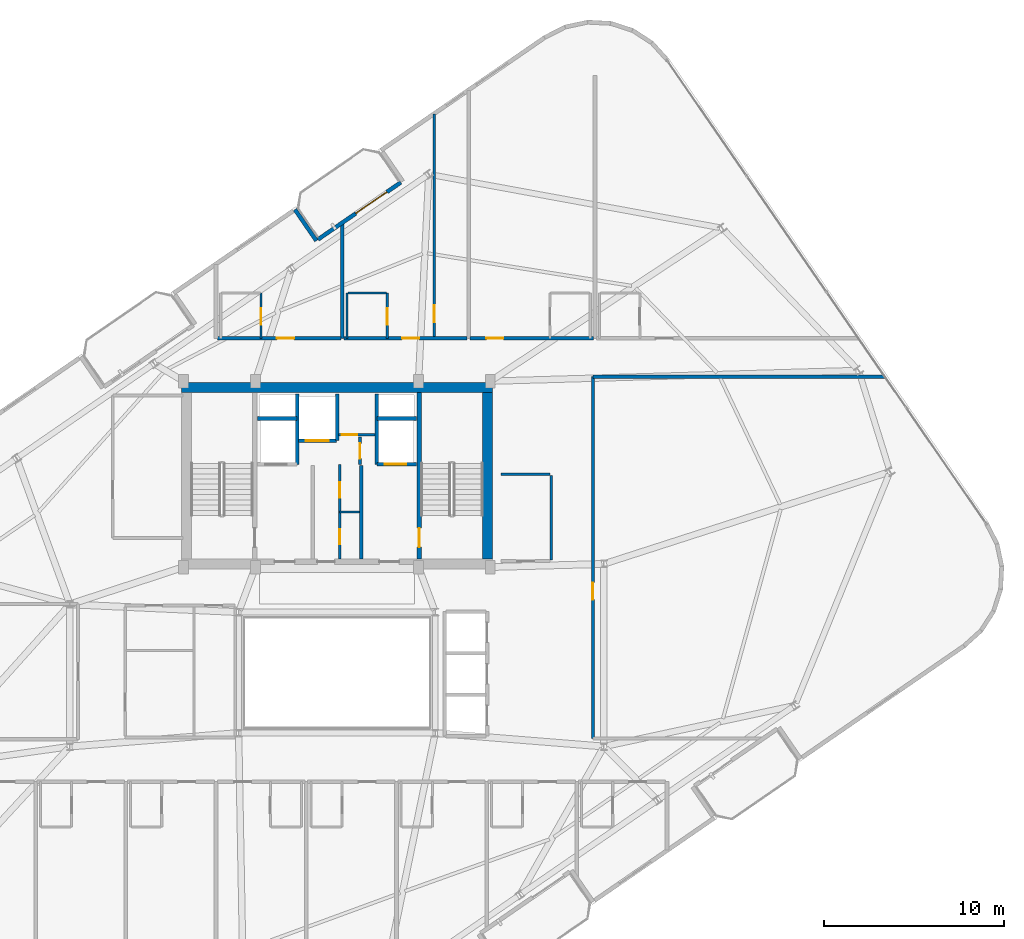
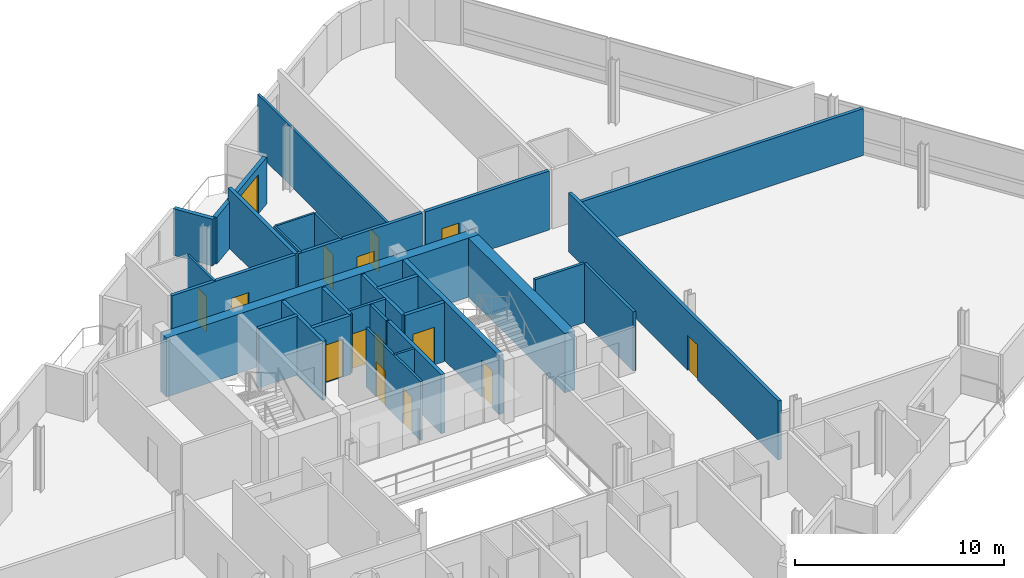
# One storey, part 17 of 22: 30 walls, 15 doors, 15 openings.
"""IFC4 building model written with IfcOpenShell, lengths in metres."""

from ifc_helpers import new_model, si_unit, direction, frame, frame_2d, origin, place, context, subcontext, project, spatial, rectangle, extrude, material, layer, layer_set, type_object, element, fill, save


model = new_model("IFC4")

# Units and contexts
model_context = context("Model", 3, precision=1e-05, world=origin(), true_north=direction((0.0, 1.0)))
body_context = subcontext(model_context, "Body", "Model", "MODEL_VIEW")
ifc_project = project(units=[si_unit("LENGTHUNIT", "METRE"), si_unit("AREAUNIT", "SQUARE_METRE"), si_unit("VOLUMEUNIT", "CUBIC_METRE"), si_unit("PLANEANGLEUNIT", "RADIAN"), si_unit("MASSUNIT", "GRAM", prefix="KILO")], contexts=[model_context])

# Site, building, storey
site_placement = place(None, origin())
site = spatial("IfcSite", under=ifc_project, at=site_placement, CompositionType="ELEMENT")
building_placement = place(site_placement, origin())
building = spatial("IfcBuilding", under=site, at=building_placement, Name="Varnelok Gate Tower", CompositionType="ELEMENT")
storey_placement = place(building_placement, frame((0.0, 0.0, 280.39990234375)))
storey = spatial("IfcBuildingStorey", under=building, at=storey_placement, Name="L72", CompositionType="ELEMENT", Elevation=280.39990234375)

# Wall, opening, door
ifc_material_1 = material(Name="Concrete C45/55", Category="concrete")
ifc_layer_1 = layer(ifc_material_1, 0.219970703125)
ifc_layer_set_1 = layer_set([ifc_layer_1], Name="Concrete C45/55")
wall_type_1 = type_object("IfcWallType", Name="EW-BALC-220", PredefinedType="SOLIDWALL", material=ifc_layer_set_1)
wall_1_placement = place(storey_placement, frame((38.15625, 46.91162109375, 0.0), z_axis=(0.0, 0.0, 1.0), x_axis=(0.823527178548, 0.567276816195, 0.0)))
wall_1 = element("IfcWall", 1, at=wall_1_placement, inside=storey, type_object=wall_type_1, Name="L72 North Terrace Envelope Wall 6", PredefinedType="SOLIDWALL", context=body_context, shape_type="SweptSolid", body=[
    extrude(rectangle(XDim=5.56689453125, YDim=0.219970703125, at=frame_2d((2.783447265625, 0.0))), origin(), (0.0, 0.0, 1.0), 2.72998046875),
])
opening_1_placement = place(wall_1_placement, frame((2.53369140625, 0.0, 0.0)))
opening_1 = element("IfcOpeningElement", 2, at=opening_1_placement, cuts=wall_1, Name="Opening BD-2", PredefinedType="OPENING", context=body_context, shape_type="SweptSolid", body=[
    extrude(rectangle(XDim=2.10009765625, YDim=2.300048828125, at=frame_2d((1.050048828125, 1.14990234375))), frame((0.0, 0.119873046875, 0.0), z_axis=(0.0, -1.0, 0.0), x_axis=(1.0, 0.0, 0.0)), (0.0, 0.0, 1.0), 0.239990234375),
])
ifc_material_2 = material(Name="Anodized Aluminum Alloy 6063-T6", Category="aluminium")
door_type_1 = type_object("IfcDoorType", Name="DR-EXT-SLID2100", OperationType="SLIDING_TO_LEFT", PredefinedType="DOOR", material=ifc_material_2)
door_1_placement = place(opening_1_placement, origin())
door_1 = element("IfcDoor", 3, at=door_1_placement, inside=storey, type_object=door_type_1, Name="L72 North Balcony Glazed Door 6", OperationType="SLIDING_TO_LEFT", OverallHeight=2.300048828125, OverallWidth=2.10009765625, PredefinedType="DOOR", context=body_context, shape_type="SweptSolid", body=[
    extrude(rectangle(XDim=2.10009765625, YDim=2.300048828125, at=frame_2d((1.050048828125, 1.14990234375))), frame((0.0, 0.02490234375, 0.0), z_axis=(0.0, -1.0, 0.0), x_axis=(1.0, 0.0, 0.0)), (0.0, 0.0, 1.0), 0.050048828125),
])
fill(opening_1, door_1)

# Wall
wall_2_placement = place(storey_placement, frame((38.06298828125, 46.835205078125, 0.0), z_axis=(0.0, 0.0, 1.0), x_axis=(-0.567219383419, 0.823566737474, 0.0)))
element("IfcWall", 4, at=wall_2_placement, inside=storey, type_object=wall_type_1, Name="L72 Perimeter Facade Closure Wall 31", PredefinedType="SOLIDWALL", context=body_context, shape_type="SweptSolid", body=[
    extrude(rectangle(XDim=2.10009765625, YDim=0.219970703125, at=frame_2d((1.050048828125, 0.0))), origin(), (0.0, 0.0, 1.0), 2.72998046875),
])

# Wall, opening, door
ifc_material_3 = material(Name="Gypsum Plasterboard Acoustic Partition", Category="gypsum")
ifc_layer_2 = layer(ifc_material_3, 0.179931640625)
ifc_layer_set_2 = layer_set([ifc_layer_2], Name="Gypsum Plasterboard Acoustic Partition")
wall_type_2 = type_object("IfcWallType", Name="PW-CORR-180", PredefinedType="PARTITIONING", material=ifc_layer_set_2)
wall_3_placement = place(storey_placement, frame((32.580078125, 41.429931640625, 0.0), z_axis=(0.0, 0.0, 1.0), x_axis=(1.0, 0.0, 0.0)))
wall_3 = element("IfcWall", 5, at=wall_3_placement, inside=storey, type_object=wall_type_2, Name="Interior Partition", PredefinedType="PARTITIONING", context=body_context, shape_type="SweptSolid", body=[
    extrude(rectangle(XDim=6.83984375, YDim=0.179931640625, at=frame_2d((3.419921875, 0.0))), origin(), (0.0, 0.0, 1.0), 3.4501953125),
])
opening_2_placement = place(wall_3_placement, frame((3.2900390625, 0.0, 0.0)))
opening_2 = element("IfcOpeningElement", 6, at=opening_2_placement, cuts=wall_3, Name="Opening D-HT", PredefinedType="OPENING", context=body_context, shape_type="SweptSolid", body=[
    extrude(rectangle(XDim=0.949951171875, YDim=2.14990234375, at=frame_2d((0.47509765625, 1.074951171875))), frame((0.0, 0.099853515625, 0.0), z_axis=(0.0, -1.0, 0.0), x_axis=(1.0, 0.0, 0.0)), (0.0, 0.0, 1.0), 0.199951171875),
])
ifc_material_4 = material(Name="Engineered Hardwood Timber", Category="wood")
door_type_2 = type_object("IfcDoorType", Name="DR-HTL-950", OperationType="NOTDEFINED", PredefinedType="DOOR", material=ifc_material_4)
door_2_placement = place(opening_2_placement, origin())
door_2 = element("IfcDoor", 7, at=door_2_placement, inside=storey, type_object=door_type_2, Name="L72 Guest Room 13 Entrance Door", OperationType="SINGLE_SWING_RIGHT", OverallHeight=2.14990234375, OverallWidth=0.949951171875, PredefinedType="DOOR", context=body_context, shape_type="SweptSolid", body=[
    extrude(rectangle(XDim=0.949951171875, YDim=2.14990234375, at=frame_2d((0.47509765625, 1.074951171875))), frame((0.0, 0.02490234375, 0.0), z_axis=(0.0, -1.0, 0.0), x_axis=(1.0, 0.0, 0.0)), (0.0, 0.0, 1.0), 0.050048828125),
])
fill(opening_2, door_2)

wall_4_placement = place(storey_placement, frame((39.580078125, 41.429931640625, 0.0), z_axis=(0.0, 0.0, 1.0), x_axis=(1.0, 0.0, 0.0)))
wall_4 = element("IfcWall", 8, at=wall_4_placement, inside=storey, type_object=wall_type_2, Name="Interior Partition", PredefinedType="PARTITIONING", context=body_context, shape_type="SweptSolid", body=[
    extrude(rectangle(XDim=6.83984375, YDim=0.179931640625, at=frame_2d((3.419921875, 0.0))), origin(), (0.0, 0.0, 1.0), 3.4501953125),
])
opening_3_placement = place(wall_4_placement, frame((3.22998046875, 0.0, 0.0)))
opening_3 = element("IfcOpeningElement", 9, at=opening_3_placement, cuts=wall_4, Name="Opening D-HT", PredefinedType="OPENING", context=body_context, shape_type="SweptSolid", body=[
    extrude(rectangle(XDim=0.949951171875, YDim=2.14990234375, at=frame_2d((0.47509765625, 1.074951171875))), frame((0.0, 0.099853515625, 0.0), z_axis=(0.0, -1.0, 0.0), x_axis=(1.0, 0.0, 0.0)), (0.0, 0.0, 1.0), 0.199951171875),
])
door_3_placement = place(opening_3_placement, origin())
door_3 = element("IfcDoor", 10, at=door_3_placement, inside=storey, type_object=door_type_2, Name="L72 Guest Room 14 Entrance Door", OperationType="SINGLE_SWING_LEFT", OverallHeight=2.14990234375, OverallWidth=0.949951171875, PredefinedType="DOOR", context=body_context, shape_type="SweptSolid", body=[
    extrude(rectangle(XDim=0.949951171875, YDim=2.14990234375, at=frame_2d((0.47509765625, 1.074951171875))), frame((0.0, 0.02490234375, 0.0), z_axis=(0.0, -1.0, 0.0), x_axis=(1.0, 0.0, 0.0)), (0.0, 0.0, 1.0), 0.050048828125),
])
fill(opening_3, door_3)

wall_5_placement = place(storey_placement, frame((46.580078125, 41.429931640625, 0.0), z_axis=(0.0, 0.0, 1.0), x_axis=(1.0, 0.0, 0.0)))
wall_5 = element("IfcWall", 11, at=wall_5_placement, inside=storey, type_object=wall_type_2, Name="Interior Partition", PredefinedType="PARTITIONING", context=body_context, shape_type="SweptSolid", body=[
    extrude(rectangle(XDim=6.83984375, YDim=0.179931640625, at=frame_2d((3.419921875, 0.0))), origin(), (0.0, 0.0, 1.0), 3.4501953125),
])
opening_4_placement = place(wall_5_placement, frame((0.89990234375, 0.0, 0.0)))
opening_4 = element("IfcOpeningElement", 12, at=opening_4_placement, cuts=wall_5, Name="Opening D-HT", PredefinedType="OPENING", context=body_context, shape_type="SweptSolid", body=[
    extrude(rectangle(XDim=0.949951171875, YDim=2.14990234375, at=frame_2d((0.47509765625, 1.074951171875))), frame((0.0, 0.099853515625, 0.0), z_axis=(0.0, -1.0, 0.0), x_axis=(1.0, 0.0, 0.0)), (0.0, 0.0, 1.0), 0.199951171875),
])
door_4_placement = place(opening_4_placement, origin())
door_4 = element("IfcDoor", 13, at=door_4_placement, inside=storey, type_object=door_type_2, Name="L72 Guest Room 15 Entrance Door", OperationType="SINGLE_SWING_RIGHT", OverallHeight=2.14990234375, OverallWidth=0.949951171875, PredefinedType="DOOR", context=body_context, shape_type="SweptSolid", body=[
    extrude(rectangle(XDim=0.949951171875, YDim=2.14990234375, at=frame_2d((0.47509765625, 1.074951171875))), frame((0.0, 0.02490234375, 0.0), z_axis=(0.0, -1.0, 0.0), x_axis=(1.0, 0.0, 0.0)), (0.0, 0.0, 1.0), 0.050048828125),
])
fill(opening_4, door_4)

wall_6_placement = place(storey_placement, frame((53.389892578125, 19.239990234375, 0.0), z_axis=(0.0, 0.0, 1.0), x_axis=(0.0, 1.0, 0.0)))
wall_6 = element("IfcWall", 14, at=wall_6_placement, inside=storey, type_object=wall_type_2, Name="Interior Partition", PredefinedType="PARTITIONING", context=body_context, shape_type="SweptSolid", body=[
    extrude(rectangle(XDim=20.06005859375, YDim=0.179931640625, at=frame_2d((10.030029296875, 0.0))), origin(), (0.0, 0.0, 1.0), 3.4501953125),
])
opening_5_placement = place(wall_6_placement, frame((7.699951171875, 0.0, 0.0)))
opening_5 = element("IfcOpeningElement", 15, at=opening_5_placement, cuts=wall_6, Name="Opening D-I2", PredefinedType="OPENING", context=body_context, shape_type="SweptSolid", body=[
    extrude(rectangle(XDim=0.949951171875, YDim=2.050048828125, at=frame_2d((0.47509765625, 1.02490234375))), frame((0.0, 0.099853515625, 0.0), z_axis=(0.0, -1.0, 0.0), x_axis=(1.0, 0.0, 0.0)), (0.0, 0.0, 1.0), 0.199951171875),
])
door_type_3 = type_object("IfcDoorType", Name="DR-INT-950", OperationType="NOTDEFINED", PredefinedType="DOOR", material=ifc_material_4)
door_5_placement = place(opening_5_placement, origin())
door_5 = element("IfcDoor", 16, at=door_5_placement, inside=storey, type_object=door_type_3, Name="L72 East Club Door", OperationType="SINGLE_SWING_RIGHT", OverallHeight=2.050048828125, OverallWidth=0.949951171875, PredefinedType="DOOR", context=body_context, shape_type="SweptSolid", body=[
    extrude(rectangle(XDim=0.949951171875, YDim=2.050048828125, at=frame_2d((0.47509765625, 1.02490234375))), frame((0.0, 0.02490234375, 0.0), z_axis=(0.0, -1.0, 0.0), x_axis=(1.0, 0.0, 0.0)), (0.0, 0.0, 1.0), 0.050048828125),
])
fill(opening_5, door_5)

# Wall
wall_7_placement = place(storey_placement, frame((53.389892578125, 39.300048828125, 0.0), z_axis=(0.0, 0.0, 1.0), x_axis=(1.0, 0.0, 0.0)))
element("IfcWall", 17, at=wall_7_placement, inside=storey, type_object=wall_type_2, Name="Interior Partition", PredefinedType="PARTITIONING", context=body_context, shape_type="SweptSolid", body=[
    extrude(rectangle(XDim=16.149169921875, YDim=0.179931640625, at=frame_2d((8.07470703125, 0.0))), origin(), (0.0, 0.0, 1.0), 2.739013671875),
])

# Wall, opening, door
ifc_layer_3 = layer(ifc_material_3, 0.114990234375)
ifc_layer_set_3 = layer_set([ifc_layer_3], Name="Gypsum Plasterboard Acoustic Partition")
wall_type_3 = type_object("IfcWallType", Name="PW-ENS-125", PredefinedType="PARTITIONING", material=ifc_layer_set_3)
wall_8_placement = place(storey_placement, frame((34.989990234375, 41.429931640625, 0.0), z_axis=(0.0, 0.0, 1.0), x_axis=(0.0, 1.0, 0.0)))
wall_8 = element("IfcWall", 18, at=wall_8_placement, inside=storey, type_object=wall_type_3, Name="Interior Partition", PredefinedType="PARTITIONING", context=body_context, shape_type="SweptSolid", body=[
    extrude(rectangle(XDim=2.52001953125, YDim=0.114990234375, at=frame_2d((1.260009765625, 0.0))), origin(), (0.0, 0.0, 1.0), 3.4501953125),
])
opening_6_placement = place(wall_8_placement, frame((0.760009765625, 0.0, 0.0)))
opening_6 = element("IfcOpeningElement", 19, at=opening_6_placement, cuts=wall_8, Name="Opening D-WC", PredefinedType="OPENING", context=body_context, shape_type="SweptSolid", body=[
    extrude(rectangle(XDim=0.89990234375, YDim=2.050048828125, at=frame_2d((0.449951171875, 1.02490234375))), frame((0.0, 0.0673828125, 0.0), z_axis=(0.0, -1.0, 0.0), x_axis=(1.0, 0.0, 0.0)), (0.0, 0.0, 1.0), 0.135009765625),
])
door_type_4 = type_object("IfcDoorType", Name="DR-BATH-900", OperationType="NOTDEFINED", PredefinedType="DOOR", material=ifc_material_4)
door_6_placement = place(opening_6_placement, origin())
door_6 = element("IfcDoor", 20, at=door_6_placement, inside=storey, type_object=door_type_4, Name="L72 North En-Suite 13 Door", OperationType="SINGLE_SWING_RIGHT", OverallHeight=2.050048828125, OverallWidth=0.89990234375, PredefinedType="DOOR", context=body_context, shape_type="SweptSolid", body=[
    extrude(rectangle(XDim=0.89990234375, YDim=2.050048828125, at=frame_2d((0.449951171875, 1.02490234375))), frame((0.0, 0.02490234375, 0.0), z_axis=(0.0, -1.0, 0.0), x_axis=(1.0, 0.0, 0.0)), (0.0, 0.0, 1.0), 0.050048828125),
])
fill(opening_6, door_6)

# Wall
wall_9_placement = place(storey_placement, frame((39.800048828125, 43.949951171875, 0.0), z_axis=(0.0, 0.0, 1.0), x_axis=(1.0, 0.0, 0.0)))
element("IfcWall", 21, at=wall_9_placement, inside=storey, type_object=wall_type_3, Name="Interior Partition", PredefinedType="PARTITIONING", context=body_context, shape_type="SweptSolid", body=[
    extrude(rectangle(XDim=2.14990234375, YDim=0.114990234375, at=frame_2d((1.074951171875, 0.0))), origin(), (0.0, 0.0, 1.0), 3.4501953125),
])

# Wall, opening, door
wall_10_placement = place(storey_placement, frame((41.989990234375, 41.429931640625, 0.0), z_axis=(0.0, 0.0, 1.0), x_axis=(0.0, 1.0, 0.0)))
wall_10 = element("IfcWall", 22, at=wall_10_placement, inside=storey, type_object=wall_type_3, Name="Interior Partition", PredefinedType="PARTITIONING", context=body_context, shape_type="SweptSolid", body=[
    extrude(rectangle(XDim=2.52001953125, YDim=0.114990234375, at=frame_2d((1.260009765625, 0.0))), origin(), (0.0, 0.0, 1.0), 3.4501953125),
])
opening_7_placement = place(wall_10_placement, frame((0.760009765625, 0.0, 0.0)))
opening_7 = element("IfcOpeningElement", 23, at=opening_7_placement, cuts=wall_10, Name="Opening D-WC", PredefinedType="OPENING", context=body_context, shape_type="SweptSolid", body=[
    extrude(rectangle(XDim=0.89990234375, YDim=2.050048828125, at=frame_2d((0.449951171875, 1.02490234375))), frame((0.0, 0.0673828125, 0.0), z_axis=(0.0, -1.0, 0.0), x_axis=(1.0, 0.0, 0.0)), (0.0, 0.0, 1.0), 0.135009765625),
])
door_7_placement = place(opening_7_placement, origin())
door_7 = element("IfcDoor", 24, at=door_7_placement, inside=storey, type_object=door_type_4, Name="L72 North En-Suite 14 Door", OperationType="SINGLE_SWING_RIGHT", OverallHeight=2.050048828125, OverallWidth=0.89990234375, PredefinedType="DOOR", context=body_context, shape_type="SweptSolid", body=[
    extrude(rectangle(XDim=0.89990234375, YDim=2.050048828125, at=frame_2d((0.449951171875, 1.02490234375))), frame((0.0, 0.02490234375, 0.0), z_axis=(0.0, -1.0, 0.0), x_axis=(1.0, 0.0, 0.0)), (0.0, 0.0, 1.0), 0.050048828125),
])
fill(opening_7, door_7)

# Wall
wall_11_placement = place(storey_placement, frame((39.760009765625, 41.429931640625, 0.0), z_axis=(0.0, 0.0, 1.0), x_axis=(0.0, 1.0, 0.0)))
element("IfcWall", 25, at=wall_11_placement, inside=storey, type_object=wall_type_3, Name="Interior Partition", PredefinedType="PARTITIONING", context=body_context, shape_type="SweptSolid", body=[
    extrude(rectangle(XDim=2.52001953125, YDim=0.114990234375, at=frame_2d((1.260009765625, 0.0))), origin(), (0.0, 0.0, 1.0), 3.4501953125),
])

# Wall, opening, door
ifc_layer_4 = layer(ifc_material_3, 0.125)
ifc_layer_set_4 = layer_set([ifc_layer_4], Name="Gypsum Plasterboard Acoustic Partition")
wall_type_4 = type_object("IfcWallType", Name="PW-PART-125", PredefinedType="PARTITIONING", material=ifc_layer_set_4)
wall_12_placement = place(storey_placement, frame((44.60009765625, 41.429931640625, 0.0), z_axis=(0.0, 0.0, 1.0), x_axis=(0.0, 1.0, 0.0)))
wall_12 = element("IfcWall", 26, at=wall_12_placement, inside=storey, type_object=wall_type_4, Name="Interior Partition", PredefinedType="PARTITIONING", context=body_context, shape_type="SweptSolid", body=[
    extrude(rectangle(XDim=12.433837890625, YDim=0.125, at=frame_2d((6.216796875, 0.0))), origin(), (0.0, 0.0, 1.0), 3.4501953125),
])
opening_8_placement = place(wall_12_placement, frame((0.899658203125, 0.0, 0.0)))
opening_8 = element("IfcOpeningElement", 27, at=opening_8_placement, cuts=wall_12, Name="Opening D-I3", PredefinedType="OPENING", context=body_context, shape_type="SweptSolid", body=[
    extrude(rectangle(XDim=0.919921875, YDim=2.050048828125, at=frame_2d((0.4599609375, 1.02490234375))), frame((0.0, 0.072509765625, 0.0), z_axis=(0.0, -1.0, 0.0), x_axis=(1.0, 0.0, 0.0)), (0.0, 0.0, 1.0), 0.14501953125),
])
door_type_5 = type_object("IfcDoorType", Name="DR-INT-920", OperationType="NOTDEFINED", PredefinedType="DOOR", material=ifc_material_4)
door_8_placement = place(opening_8_placement, origin())
door_8 = element("IfcDoor", 28, at=door_8_placement, inside=storey, type_object=door_type_5, Name="L72 Suite Bedroom Door 14", OperationType="SINGLE_SWING_LEFT", OverallHeight=2.050048828125, OverallWidth=0.919921875, PredefinedType="DOOR", context=body_context, shape_type="SweptSolid", body=[
    extrude(rectangle(XDim=0.919921875, YDim=2.050048828125, at=frame_2d((0.4599609375, 1.02490234375))), frame((0.0, 0.02490234375, 0.0), z_axis=(0.0, -1.0, 0.0), x_axis=(1.0, 0.0, 0.0)), (0.0, 0.0, 1.0), 0.050048828125),
])
fill(opening_8, door_8)

# Wall
wall_13_placement = place(storey_placement, frame((39.35009765625, 31.800048828125, 0.0), z_axis=(0.0, 0.0, 1.0), x_axis=(1.0, 0.0, 0.0)))
element("IfcWall", 29, at=wall_13_placement, inside=storey, type_object=wall_type_4, Name="Interior Partition", PredefinedType="PARTITIONING", context=body_context, shape_type="SweptSolid", body=[
    extrude(rectangle(XDim=1.08984375, YDim=0.125, at=frame_2d((0.544921875, 0.0))), origin(), (0.0, 0.0, 1.0), 3.4501953125),
])

# Wall, openings, doors
wall_14_placement = place(storey_placement, frame((39.35009765625, 29.199951171875, 0.0), z_axis=(0.0, 0.0, 1.0), x_axis=(0.0, 1.0, 0.0)))
wall_14 = element("IfcWall", 30, at=wall_14_placement, inside=storey, type_object=wall_type_4, Name="Interior Partition", PredefinedType="PARTITIONING", context=body_context, shape_type="SweptSolid", body=[
    extrude(rectangle(XDim=5.219970703125, YDim=0.125, at=frame_2d((2.60986328125, 0.0))), origin(), (0.0, 0.0, 1.0), 3.4501953125),
])
opening_9_placement = place(wall_14_placement, frame((0.800048828125, 0.0, 0.0)))
opening_9 = element("IfcOpeningElement", 31, at=opening_9_placement, cuts=wall_14, Name="Opening D-RS", PredefinedType="OPENING", context=body_context, shape_type="SweptSolid", body=[
    extrude(rectangle(XDim=0.85009765625, YDim=2.050048828125, at=frame_2d((0.425048828125, 1.02490234375))), frame((0.0, 0.072509765625, 0.0), z_axis=(0.0, -1.0, 0.0), x_axis=(1.0, 0.0, 0.0)), (0.0, 0.0, 1.0), 0.14501953125),
])
opening_10_placement = place(wall_14_placement, frame((3.39990234375, 0.0, 0.0)))
opening_10 = element("IfcOpeningElement", 32, at=opening_10_placement, cuts=wall_14, Name="Opening D-RS", PredefinedType="OPENING", context=body_context, shape_type="SweptSolid", body=[
    extrude(rectangle(XDim=0.85009765625, YDim=2.050048828125, at=frame_2d((0.425048828125, 1.02490234375))), frame((0.0, 0.072509765625, 0.0), z_axis=(0.0, -1.0, 0.0), x_axis=(1.0, 0.0, 0.0)), (0.0, 0.0, 1.0), 0.14501953125),
])
ifc_material_5 = material(Name="Galvanized Steel Grade S350GD", Category="steel")
door_type_6 = type_object("IfcDoorType", Name="DR-RISER-850", OperationType="NOTDEFINED", PredefinedType="DOOR", material=ifc_material_5)
door_9_placement = place(opening_9_placement, origin())
door_9 = element("IfcDoor", 33, at=door_9_placement, inside=storey, type_object=door_type_6, Name="L72 Housekeeping Linen Door", OperationType="SINGLE_SWING_RIGHT", OverallHeight=2.050048828125, OverallWidth=0.85009765625, PredefinedType="DOOR", context=body_context, shape_type="SweptSolid", body=[
    extrude(rectangle(XDim=0.85009765625, YDim=2.050048828125, at=frame_2d((0.425048828125, 1.02490234375))), frame((0.0, 0.02490234375, 0.0), z_axis=(0.0, -1.0, 0.0), x_axis=(1.0, 0.0, 0.0)), (0.0, 0.0, 1.0), 0.050048828125),
])
fill(opening_9, door_9)
door_10_placement = place(opening_10_placement, origin())
door_10 = element("IfcDoor", 34, at=door_10_placement, inside=storey, type_object=door_type_6, Name="L72 Core Supply Door", OperationType="SINGLE_SWING_LEFT", OverallHeight=2.050048828125, OverallWidth=0.85009765625, PredefinedType="DOOR", context=body_context, shape_type="SweptSolid", body=[
    extrude(rectangle(XDim=0.85009765625, YDim=2.050048828125, at=frame_2d((0.425048828125, 1.02490234375))), frame((0.0, 0.02490234375, 0.0), z_axis=(0.0, -1.0, 0.0), x_axis=(1.0, 0.0, 0.0)), (0.0, 0.0, 1.0), 0.050048828125),
])
fill(opening_10, door_10)

# Wall, opening, door
ifc_layer_5 = layer(ifc_material_3, 0.14990234375)
ifc_layer_set_5 = layer_set([ifc_layer_5], Name="Gypsum Plasterboard Acoustic Partition")
wall_type_5 = type_object("IfcWallType", Name="PW-PART-150", PredefinedType="PARTITIONING", material=ifc_layer_set_5)
wall_15_placement = place(storey_placement, frame((39.300048828125, 36.080078125, 0.0), z_axis=(0.0, 0.0, 1.0), x_axis=(1.0, 0.0, 0.0)))
wall_15 = element("IfcWall", 35, at=wall_15_placement, inside=storey, type_object=wall_type_5, Name="L72 Electrical Closet South Wall", PredefinedType="PARTITIONING", context=body_context, shape_type="SweptSolid", body=[
    extrude(rectangle(XDim=2.02001953125, YDim=0.14990234375, at=frame_2d((1.010009765625, 0.0))), origin(), (0.0, 0.0, 1.0), 3.4501953125),
])
opening_11_placement = place(wall_15_placement, frame((0.179931640625, 0.0, 0.0)))
opening_11 = element("IfcOpeningElement", 36, at=opening_11_placement, cuts=wall_15, Name="Opening D-RS", PredefinedType="OPENING", context=body_context, shape_type="SweptSolid", body=[
    extrude(rectangle(XDim=0.85009765625, YDim=2.050048828125, at=frame_2d((0.425048828125, 1.02490234375))), frame((0.0, 0.0849609375, 0.0), z_axis=(0.0, -1.0, 0.0), x_axis=(1.0, 0.0, 0.0)), (0.0, 0.0, 1.0), 0.169921875),
])
door_11_placement = place(opening_11_placement, origin())
door_11 = element("IfcDoor", 37, at=door_11_placement, inside=storey, type_object=door_type_6, Name="L72 Electrical Closet Door", OperationType="SINGLE_SWING_RIGHT", OverallHeight=2.050048828125, OverallWidth=0.85009765625, PredefinedType="DOOR", context=body_context, shape_type="SweptSolid", body=[
    extrude(rectangle(XDim=0.85009765625, YDim=2.050048828125, at=frame_2d((0.425048828125, 1.02490234375))), frame((0.0, 0.02490234375, 0.0), z_axis=(0.0, -1.0, 0.0), x_axis=(1.0, 0.0, 0.0)), (0.0, 0.0, 1.0), 0.050048828125),
])
fill(opening_11, door_11)

wall_16_placement = place(storey_placement, frame((40.47998046875, 34.43994140625, 0.0), z_axis=(0.0, 0.0, 1.0), x_axis=(0.0, 1.0, 0.0)))
wall_16 = element("IfcWall", 38, at=wall_16_placement, inside=storey, type_object=wall_type_5, Name="L72 Telecoms Closet West Wall", PredefinedType="PARTITIONING", context=body_context, shape_type="SweptSolid", body=[
    extrude(rectangle(XDim=1.52001953125, YDim=0.14990234375, at=frame_2d((0.760009765625, 0.0))), origin(), (0.0, 0.0, 1.0), 3.4501953125),
])
opening_12_placement = place(wall_16_placement, frame((0.320068359375, 0.0, 0.0)))
opening_12 = element("IfcOpeningElement", 39, at=opening_12_placement, cuts=wall_16, Name="Opening D-RS", PredefinedType="OPENING", context=body_context, shape_type="SweptSolid", body=[
    extrude(rectangle(XDim=0.85009765625, YDim=2.050048828125, at=frame_2d((0.425048828125, 1.02490234375))), frame((0.0, 0.0849609375, 0.0), z_axis=(0.0, -1.0, 0.0), x_axis=(1.0, 0.0, 0.0)), (0.0, 0.0, 1.0), 0.169921875),
])
door_12_placement = place(opening_12_placement, origin())
door_12 = element("IfcDoor", 40, at=door_12_placement, inside=storey, type_object=door_type_6, Name="L72 Telecoms Closet Door", OperationType="SINGLE_SWING_LEFT", OverallHeight=2.050048828125, OverallWidth=0.85009765625, PredefinedType="DOOR", context=body_context, shape_type="SweptSolid", body=[
    extrude(rectangle(XDim=0.85009765625, YDim=2.050048828125, at=frame_2d((0.425048828125, 1.02490234375))), frame((0.0, 0.02490234375, 0.0), z_axis=(0.0, -1.0, 0.0), x_axis=(1.0, 0.0, 0.0)), (0.0, 0.0, 1.0), 0.050048828125),
])
fill(opening_12, door_12)

# Walls
wall_17_placement = place(storey_placement, frame((48.300048828125, 33.889892578125, 0.0), z_axis=(0.0, 0.0, 1.0), x_axis=(1.0, 0.0, 0.0)))
element("IfcWall", 41, at=wall_17_placement, inside=storey, type_object=wall_type_5, Name="Interior Partition", PredefinedType="PARTITIONING", context=body_context, shape_type="SweptSolid", body=[
    extrude(rectangle(XDim=2.719970703125, YDim=0.14990234375, at=frame_2d((1.35986328125, 0.0))), origin(), (0.0, 0.0, 1.0), 3.4501953125),
])
wall_18_placement = place(storey_placement, frame((51.080078125, 29.139892578125, 0.0), z_axis=(0.0, 0.0, 1.0), x_axis=(0.0, 1.0, 0.0)))
element("IfcWall", 42, at=wall_18_placement, inside=storey, type_object=wall_type_5, Name="Interior Partition", PredefinedType="PARTITIONING", context=body_context, shape_type="SweptSolid", body=[
    extrude(rectangle(XDim=4.690185546875, YDim=0.14990234375, at=frame_2d((2.34521484375, 0.0))), origin(), (0.0, 0.0, 1.0), 3.4501953125),
])
ifc_layer_6 = layer(ifc_material_3, 0.205078125)
ifc_layer_set_6 = layer_set([ifc_layer_6], Name="Gypsum Plasterboard Acoustic Partition")
wall_type_6 = type_object("IfcWallType", Name="PW-PARTY-200", PredefinedType="PARTITIONING", material=ifc_layer_set_6)
wall_19_placement = place(storey_placement, frame((39.5, 41.429931640625, 0.0), z_axis=(0.0, 0.0, 1.0), x_axis=(0.0, 1.0, 0.0)))
element("IfcWall", 43, at=wall_19_placement, inside=storey, type_object=wall_type_6, Name="L72 North Party Wall 2", PredefinedType="PARTITIONING", context=body_context, shape_type="SweptSolid", body=[
    extrude(rectangle(XDim=6.370849609375, YDim=0.205078125, at=frame_2d((3.185546875, 0.0))), origin(), (0.0, 0.0, 1.0), 3.4501953125),
])
ifc_material_6 = material(Name="Concrete C35/45", Category="concrete")
ifc_layer_7 = layer(ifc_material_6, 0.199951171875)
ifc_layer_set_7 = layer_set([ifc_layer_7], Name="Concrete C35/45")
wall_type_7 = type_object("IfcWallType", Name="PW-SHAFT-200", PredefinedType="PARTITIONING", material=ifc_layer_set_7)
wall_20_placement = place(storey_placement, frame((40.5400390625, 29.199951171875, 0.0), z_axis=(0.0, 0.0, 1.0), x_axis=(0.0, 1.0, 0.0)))
element("IfcWall", 44, at=wall_20_placement, inside=storey, type_object=wall_type_7, Name="L72 East FF Lobby Rated Wall", PredefinedType="PARTITIONING", context=body_context, shape_type="SweptSolid", body=[
    extrude(rectangle(XDim=5.179931640625, YDim=0.199951171875, at=frame_2d((2.58984375, 0.0))), origin(), (0.0, 0.0, 1.0), 3.4501953125),
])
wall_21_placement = place(storey_placement, frame((34.800048828125, 36.97998046875, 0.0), z_axis=(0.0, 0.0, 1.0), x_axis=(1.0, 0.0, 0.0)))
element("IfcWall", 45, at=wall_21_placement, inside=storey, type_object=wall_type_7, Name="L72 FF1 Shaft North Wall", PredefinedType="PARTITIONING", context=body_context, shape_type="SweptSolid", body=[
    extrude(rectangle(XDim=2.179931640625, YDim=0.199951171875, at=frame_2d((1.08984375, 0.0))), origin(), (0.0, 0.0, 1.0), 3.4501953125),
])
wall_22_placement = place(storey_placement, frame((37.0, 34.43994140625, 0.0), z_axis=(0.0, 0.0, 1.0), x_axis=(0.0, 1.0, 0.0)))
element("IfcWall", 46, at=wall_22_placement, inside=storey, type_object=wall_type_7, Name="L72 FF1 Shaft Side Wall", PredefinedType="PARTITIONING", context=body_context, shape_type="SweptSolid", body=[
    extrude(rectangle(XDim=3.900146484375, YDim=0.199951171875, at=frame_2d((1.9501953125, 0.0))), origin(), (0.0, 0.0, 1.0), 3.4501953125),
])

# Wall, opening, door
wall_23_placement = place(storey_placement, frame((41.419921875, 34.43994140625, 0.0), z_axis=(0.0, 0.0, 1.0), x_axis=(1.0, 0.0, 0.0)))
wall_23 = element("IfcWall", 47, at=wall_23_placement, inside=storey, type_object=wall_type_7, Name="L72 FF2 Shaft Front Wall", PredefinedType="PARTITIONING", context=body_context, shape_type="SweptSolid", body=[
    extrude(rectangle(XDim=2.18017578125, YDim=0.199951171875, at=frame_2d((1.090087890625, 0.0))), origin(), (0.0, 0.0, 1.0), 3.4501953125),
])
opening_13_placement = place(wall_23_placement, frame((0.419921875, 0.0, 0.0)))
opening_13 = element("IfcOpeningElement", 48, at=opening_13_placement, cuts=wall_23, Name="Opening LD-FF2", PredefinedType="OPENING", context=body_context, shape_type="SweptSolid", body=[
    extrude(rectangle(XDim=1.199951171875, YDim=2.199951171875, at=frame_2d((0.60009765625, 1.10009765625))), frame((0.0, 0.10986328125, 0.0), z_axis=(0.0, -1.0, 0.0), x_axis=(1.0, 0.0, 0.0)), (0.0, 0.0, 1.0), 0.219970703125),
])
door_type_7 = type_object("IfcDoorType", Name="DR-LIFT-FF1200", OperationType="SLIDING_TO_LEFT", PredefinedType="DOOR", material=ifc_material_5)
door_13_placement = place(opening_13_placement, origin())
door_13 = element("IfcDoor", 49, at=door_13_placement, inside=storey, type_object=door_type_7, Name="L72 Firefighting Lift Landing Door LD-FF2", OperationType="SLIDING_TO_LEFT", OverallHeight=2.199951171875, OverallWidth=1.199951171875, PredefinedType="DOOR", context=body_context, shape_type="SweptSolid", body=[
    extrude(rectangle(XDim=1.199951171875, YDim=2.199951171875, at=frame_2d((0.60009765625, 1.10009765625))), frame((0.0, 0.02490234375, 0.0), z_axis=(0.0, -1.0, 0.0), x_axis=(1.0, 0.0, 0.0)), (0.0, 0.0, 1.0), 0.050048828125),
])
fill(opening_13, door_13)

# Walls
wall_24_placement = place(storey_placement, frame((41.419921875, 36.97998046875, 0.0), z_axis=(0.0, 0.0, 1.0), x_axis=(1.0, 0.0, 0.0)))
element("IfcWall", 50, at=wall_24_placement, inside=storey, type_object=wall_type_7, Name="L72 FF2 Shaft North Wall", PredefinedType="PARTITIONING", context=body_context, shape_type="SweptSolid", body=[
    extrude(rectangle(XDim=2.18017578125, YDim=0.199951171875, at=frame_2d((1.090087890625, 0.0))), origin(), (0.0, 0.0, 1.0), 3.4501953125),
])
wall_25_placement = place(storey_placement, frame((41.39990234375, 34.43994140625, 0.0), z_axis=(0.0, 0.0, 1.0), x_axis=(0.0, 1.0, 0.0)))
element("IfcWall", 51, at=wall_25_placement, inside=storey, type_object=wall_type_7, Name="L72 FF2 Shaft Side Wall", PredefinedType="PARTITIONING", context=body_context, shape_type="SweptSolid", body=[
    extrude(rectangle(XDim=3.900146484375, YDim=0.199951171875, at=frame_2d((1.9501953125, 0.0))), origin(), (0.0, 0.0, 1.0), 3.4501953125),
])

# Wall, opening, door
wall_26_placement = place(storey_placement, frame((37.06005859375, 35.75, 0.0), z_axis=(0.0, 0.0, 1.0), x_axis=(1.0, 0.0, 0.0)))
wall_26 = element("IfcWall", 52, at=wall_26_placement, inside=storey, type_object=wall_type_7, Name="L72 SV1 Shaft Front Wall", PredefinedType="PARTITIONING", context=body_context, shape_type="SweptSolid", body=[
    extrude(rectangle(XDim=2.119873046875, YDim=0.199951171875, at=frame_2d((1.06005859375, 0.0))), origin(), (0.0, 0.0, 1.0), 3.4501953125),
])
opening_14_placement = place(wall_26_placement, frame((0.39990234375, 0.0, 0.0)))
opening_14 = element("IfcOpeningElement", 53, at=opening_14_placement, cuts=wall_26, Name="Opening LD-SV1", PredefinedType="OPENING", context=body_context, shape_type="SweptSolid", body=[
    extrude(rectangle(XDim=1.300048828125, YDim=2.199951171875, at=frame_2d((0.64990234375, 1.10009765625))), frame((0.0, 0.10986328125, 0.0), z_axis=(0.0, -1.0, 0.0), x_axis=(1.0, 0.0, 0.0)), (0.0, 0.0, 1.0), 0.219970703125),
])
door_type_8 = type_object("IfcDoorType", Name="DR-LIFT-SV1300", OperationType="SLIDING_TO_LEFT", PredefinedType="DOOR", material=ifc_material_5)
door_14_placement = place(opening_14_placement, origin())
door_14 = element("IfcDoor", 54, at=door_14_placement, inside=storey, type_object=door_type_8, Name="L72 Service Lift Landing Door LD-SV1", OperationType="SLIDING_TO_LEFT", OverallHeight=2.199951171875, OverallWidth=1.300048828125, PredefinedType="DOOR", context=body_context, shape_type="SweptSolid", body=[
    extrude(rectangle(XDim=1.300048828125, YDim=2.199951171875, at=frame_2d((0.64990234375, 1.10009765625))), frame((0.0, 0.02490234375, 0.0), z_axis=(0.0, -1.0, 0.0), x_axis=(1.0, 0.0, 0.0)), (0.0, 0.0, 1.0), 0.050048828125),
])
fill(opening_14, door_14)

# Walls
wall_27_placement = place(storey_placement, frame((39.219970703125, 35.75, 0.0), z_axis=(0.0, 0.0, 1.0), x_axis=(0.0, 1.0, 0.0)))
element("IfcWall", 55, at=wall_27_placement, inside=storey, type_object=wall_type_7, Name="L72 SV1 Shaft East Wall", PredefinedType="PARTITIONING", context=body_context, shape_type="SweptSolid", body=[
    extrude(rectangle(XDim=2.590087890625, YDim=0.199951171875, at=frame_2d((1.294921875, 0.0))), origin(), (0.0, 0.0, 1.0), 3.4501953125),
])
ifc_material_7 = material(Name="Concrete C60/75", Category="concrete")
ifc_layer_8 = layer(ifc_material_7, 0.550048828125)
ifc_layer_set_8 = layer_set([ifc_layer_8], Name="Concrete C60/75")
wall_type_8 = type_object("IfcWallType", Name="SW-CORE-550", PredefinedType="SHEAR", material=ifc_layer_set_8)
wall_28_placement = place(storey_placement, frame((30.580078125, 38.695068359375, 0.0), z_axis=(0.0, 0.0, 1.0), x_axis=(1.0, 0.0, 0.0)))
element("IfcWall", 56, at=wall_28_placement, inside=storey, type_object=wall_type_8, Name="L72 Rear Core North Shear Wall", PredefinedType="SHEAR", context=body_context, shape_type="SweptSolid", body=[
    extrude(rectangle(XDim=17.239990234375, YDim=0.550048828125, at=frame_2d((8.6201171875, 0.0))), origin(), (0.0, 0.0, 1.0), 3.4501953125),
])
wall_29_placement = place(storey_placement, frame((47.544921875, 29.199951171875, 0.0), z_axis=(0.0, 0.0, 1.0), x_axis=(0.0, 1.0, 0.0)))
element("IfcWall", 57, at=wall_29_placement, inside=storey, type_object=wall_type_8, Name="L72 Rear Core East Shear Wall", PredefinedType="SHEAR", context=body_context, shape_type="SweptSolid", body=[
    extrude(rectangle(XDim=9.219970703125, YDim=0.550048828125, at=frame_2d((4.60986328125, 0.0))), origin(), (0.0, 0.0, 1.0), 3.4501953125),
])

# Wall, opening, door
ifc_layer_9 = layer(ifc_material_7, 0.25)
ifc_layer_set_9 = layer_set([ifc_layer_9], Name="Concrete C60/75")
wall_type_9 = type_object("IfcWallType", Name="SW-SHAFT-250", PredefinedType="SHEAR", material=ifc_layer_set_9)
wall_30_placement = place(storey_placement, frame((43.760009765625, 29.199951171875, 0.0), z_axis=(0.0, 0.0, 1.0), x_axis=(0.0, 1.0, 0.0)))
wall_30 = element("IfcWall", 58, at=wall_30_placement, inside=storey, type_object=wall_type_9, Name="L72 Stair ST-2 West Shear Wall", PredefinedType="SHEAR", context=body_context, shape_type="SweptSolid", body=[
    extrude(rectangle(XDim=9.219970703125, YDim=0.25, at=frame_2d((4.60986328125, 0.0))), origin(), (0.0, 0.0, 1.0), 3.4501953125),
])
opening_15_placement = place(wall_30_placement, frame((0.64990234375, 0.0, 0.0)))
opening_15 = element("IfcOpeningElement", 59, at=opening_15_placement, cuts=wall_30, Name="Opening D-ST", PredefinedType="OPENING", context=body_context, shape_type="SweptSolid", body=[
    extrude(rectangle(XDim=1.050048828125, YDim=2.14990234375, at=frame_2d((0.52490234375, 1.074951171875))), frame((0.0, 0.135009765625, 0.0), z_axis=(0.0, -1.0, 0.0), x_axis=(1.0, 0.0, 0.0)), (0.0, 0.0, 1.0), 0.27001953125),
])
door_type_9 = type_object("IfcDoorType", Name="DR-STAIR-1050", OperationType="NOTDEFINED", PredefinedType="DOOR", material=ifc_material_5)
door_15_placement = place(opening_15_placement, origin())
door_15 = element("IfcDoor", 60, at=door_15_placement, inside=storey, type_object=door_type_9, Name="L72 Exit Stair ST-2 Fire Door", OperationType="SINGLE_SWING_RIGHT", OverallHeight=2.14990234375, OverallWidth=1.050048828125, PredefinedType="DOOR", context=body_context, shape_type="SweptSolid", body=[
    extrude(rectangle(XDim=1.050048828125, YDim=2.14990234375, at=frame_2d((0.52490234375, 1.074951171875))), frame((0.0, 0.02490234375, 0.0), z_axis=(0.0, -1.0, 0.0), x_axis=(1.0, 0.0, 0.0)), (0.0, 0.0, 1.0), 0.050048828125),
])
fill(opening_15, door_15)

save(model, "model.ifc")
